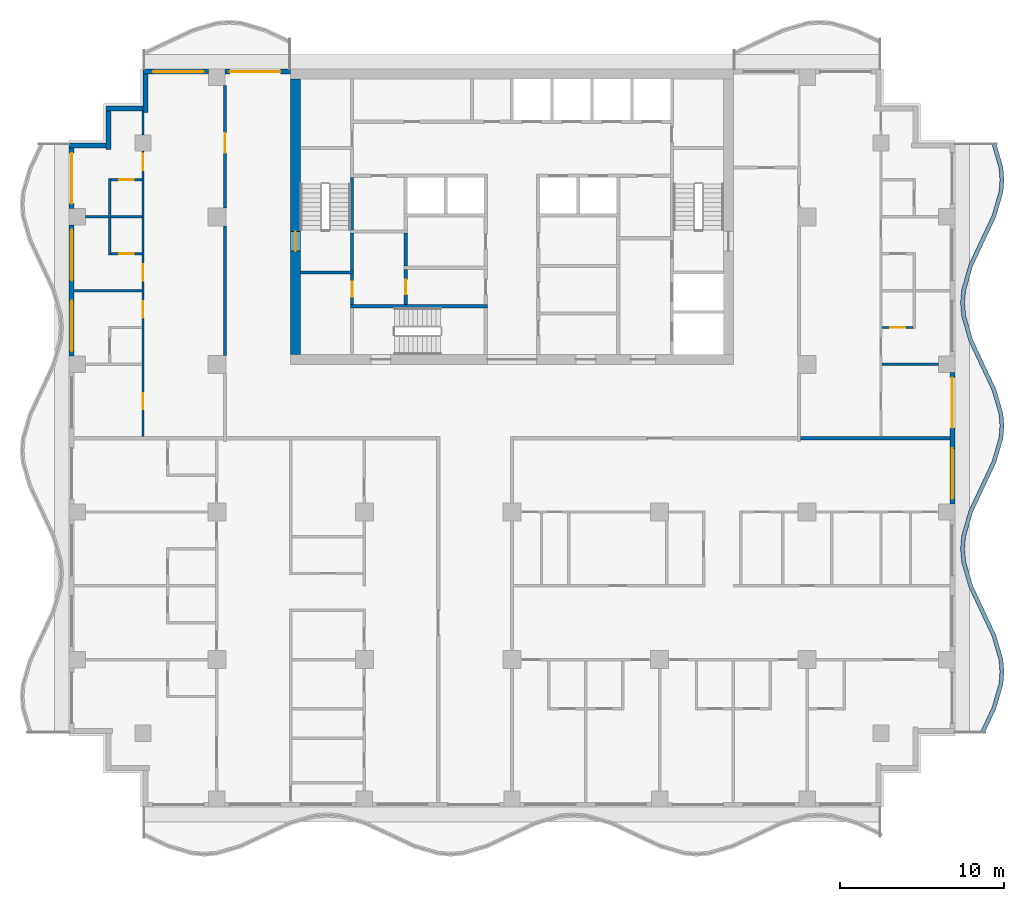
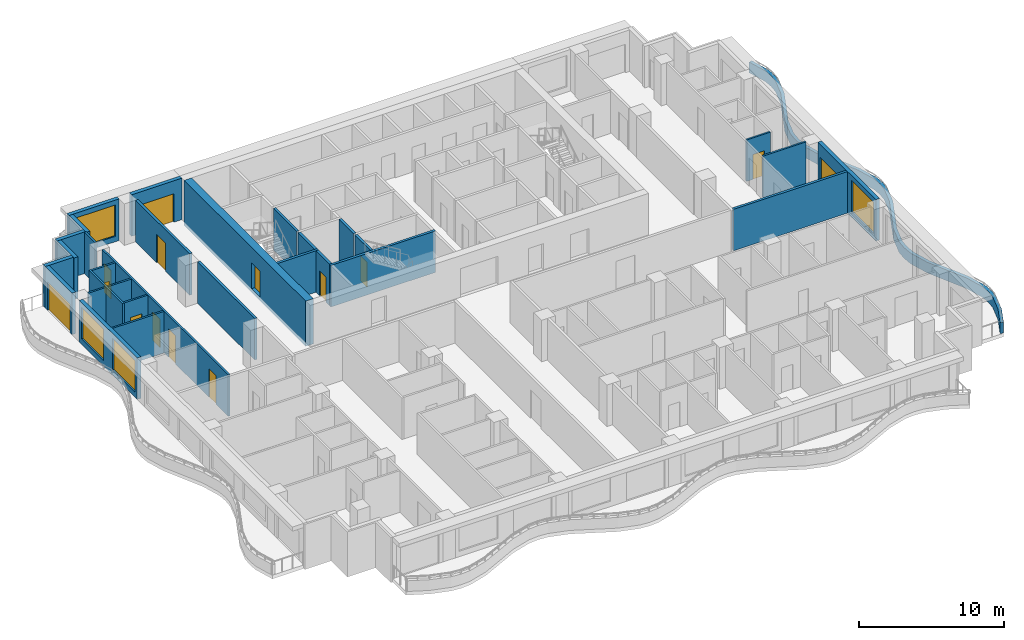
# One storey, part 5 of 12: 31 walls, 14 doors, 4 windows, 18 openings.
"""IFC4 building model written with IfcOpenShell, lengths in metres."""

from ifc_helpers import new_model, si_unit, direction, frame, frame_2d, origin, place, context, subcontext, project, spatial, polyline, rectangle, outline, extrude, material, layer, layer_set, type_object, element, fill, save


model = new_model("IFC4")

# Units and contexts
model_context = context("Model", 3, precision=1e-05, world=origin(), true_north=direction((0.0, 1.0)))
body_context = subcontext(model_context, "Body", "Model", "MODEL_VIEW")
ifc_project = project(units=[si_unit("LENGTHUNIT", "METRE"), si_unit("AREAUNIT", "SQUARE_METRE"), si_unit("VOLUMEUNIT", "CUBIC_METRE"), si_unit("PLANEANGLEUNIT", "RADIAN"), si_unit("MASSUNIT", "GRAM", prefix="KILO")], contexts=[model_context])

# Site, building, storey
site_placement = place(None, origin())
site = spatial("IfcSite", under=ifc_project, at=site_placement, CompositionType="ELEMENT")
building_placement = place(site_placement, origin())
building = spatial("IfcBuilding", under=site, at=building_placement, Name="Orbiselva Terraces", CompositionType="ELEMENT")
storey_placement = place(building_placement, frame((0.0, 0.0, 211.0)))
storey = spatial("IfcBuildingStorey", under=building, at=storey_placement, Name="L53", CompositionType="ELEMENT", Elevation=211.0)

# Wall, opening, door
ifc_material_1 = material(Name="Concrete C80/95", Category="concrete")
ifc_layer_1 = layer(ifc_material_1, 0.6)
ifc_layer_set_1 = layer_set([ifc_layer_1], Name="Concrete C80/95")
wall_type_1 = type_object("IfcWallType", Name="CORE WALL 600", PredefinedType="SHEAR", material=ifc_layer_set_1)
wall_1_placement = place(storey_placement, frame((-13.2, 21.9, -0.3), z_axis=(0.0, 0.0, 1.0), x_axis=(0.0, -1.0, 0.0)))
wall_1 = element("IfcWall", 1, at=wall_1_placement, inside=storey, type_object=wall_type_1, Name="Core wall L53 west", PredefinedType="SHEAR", context=body_context, shape_type="SweptSolid", body=[
    extrude(rectangle(XDim=16.8, YDim=0.6, at=frame_2d((8.4, 0.0))), origin(), (0.0, 0.0, 1.0), 3.8),
])
opening_1_placement = place(wall_1_placement, frame((9.3, 0.0, 0.3)))
opening_1 = element("IfcOpeningElement", 2, at=opening_1_placement, cuts=wall_1, Name="Opening DS1200", PredefinedType="OPENING", context=body_context, shape_type="SweptSolid", body=[
    extrude(rectangle(XDim=1.2, YDim=2.2, at=frame_2d((0.6, 1.1))), frame((0.0, 0.31, 0.0), z_axis=(0.0, -1.0, 0.0), x_axis=(1.0, 0.0, 0.0)), (0.0, 0.0, 1.0), 0.62),
])
ifc_material_2 = material(Name="Steel fire door", Category="steel")
door_type_1 = type_object("IfcDoorType", Name="STAIR DOOR 1200", OperationType="NOTDEFINED", PredefinedType="DOOR", material=ifc_material_2)
door_1_placement = place(opening_1_placement, frame((1.2, 0.0, 0.0), z_axis=(0.0, 0.0, 1.0), x_axis=(-1.0, 0.0, 0.0)))
door_1 = element("IfcDoor", 3, at=door_1_placement, inside=storey, type_object=door_type_1, Name="L53 EXIT STAIR S1 door", OperationType="SINGLE_SWING_RIGHT", OverallHeight=2.2, OverallWidth=1.2, PredefinedType="DOOR", context=body_context, shape_type="SweptSolid", body=[
    extrude(rectangle(XDim=1.2, YDim=2.2, at=frame_2d((0.6, 1.1))), frame((0.0, 0.025, 0.0), z_axis=(0.0, -1.0, 0.0), x_axis=(1.0, 0.0, 0.0)), (0.0, 0.0, 1.0), 0.05),
])
fill(opening_1, door_1)

ifc_material_3 = material(Name="Masonry blockwork", Category="masonry")
ifc_layer_2 = layer(ifc_material_3, 0.2)
ifc_layer_set_2 = layer_set([ifc_layer_2], Name="Masonry blockwork")
wall_type_2 = type_object("IfcWallType", Name="CORE-WALL-PARTITION-200", PredefinedType="PARTITIONING", material=ifc_layer_set_2)
wall_2_placement = place(storey_placement, frame((-9.75, 8.15, 0.0), z_axis=(0.0, 0.0, 1.0), x_axis=(0.0, 1.0, 0.0)))
wall_2 = element("IfcWall", 4, at=wall_2_placement, inside=storey, type_object=wall_type_2, Name="L53 core wall 05", PredefinedType="PARTITIONING", context=body_context, shape_type="SweptSolid", body=[
    extrude(rectangle(XDim=1.85, YDim=0.2, at=frame_2d((0.925, 0.0))), origin(), (0.0, 0.0, 1.0), 3.5),
])
opening_2_placement = place(wall_2_placement, frame((0.475, 0.0, 0.0)))
opening_2 = element("IfcOpeningElement", 5, at=opening_2_placement, cuts=wall_2, Name="Opening DR900", PredefinedType="OPENING", context=body_context, shape_type="SweptSolid", body=[
    extrude(rectangle(XDim=0.9, YDim=2.1, at=frame_2d((0.45, 1.05))), frame((0.0, 0.11, 0.0), z_axis=(0.0, -1.0, 0.0), x_axis=(1.0, 0.0, 0.0)), (0.0, 0.0, 1.0), 0.22),
])
door_type_2 = type_object("IfcDoorType", Name="ROOM DOOR 900", OperationType="NOTDEFINED", PredefinedType="DOOR", material=ifc_material_2)
door_2_placement = place(opening_2_placement, origin())
door_2 = element("IfcDoor", 6, at=door_2_placement, inside=storey, type_object=door_type_2, Name="L53 CLEANERS STORE door", OperationType="SINGLE_SWING_RIGHT", OverallHeight=2.1, OverallWidth=0.9, PredefinedType="DOOR", context=body_context, shape_type="SweptSolid", body=[
    extrude(rectangle(XDim=0.9, YDim=2.1, at=frame_2d((0.45, 1.05))), frame((0.0, 0.025, 0.0), z_axis=(0.0, -1.0, 0.0), x_axis=(1.0, 0.0, 0.0)), (0.0, 0.0, 1.0), 0.05),
])
fill(opening_2, door_2)

wall_3_placement = place(storey_placement, frame((-6.475, 8.15, 0.0), z_axis=(0.0, 0.0, 1.0), x_axis=(0.0, 1.0, 0.0)))
wall_3 = element("IfcWall", 7, at=wall_3_placement, inside=storey, type_object=wall_type_2, Name="L53 core wall 14", PredefinedType="PARTITIONING", context=body_context, shape_type="SweptSolid", body=[
    extrude(rectangle(XDim=2.15, YDim=0.2, at=frame_2d((1.075, 0.0))), origin(), (0.0, 0.0, 1.0), 3.5),
])
opening_3_placement = place(wall_3_placement, frame((0.625, 0.0, 0.0)))
opening_3 = element("IfcOpeningElement", 8, at=opening_3_placement, cuts=wall_3, Name="Opening DR900", PredefinedType="OPENING", context=body_context, shape_type="SweptSolid", body=[
    extrude(rectangle(XDim=0.9, YDim=2.1, at=frame_2d((0.45, 1.05))), frame((0.0, 0.11, 0.0), z_axis=(0.0, -1.0, 0.0), x_axis=(1.0, 0.0, 0.0)), (0.0, 0.0, 1.0), 0.22),
])
door_3_placement = place(opening_3_placement, origin())
door_3 = element("IfcDoor", 9, at=door_3_placement, inside=storey, type_object=door_type_2, Name="L53 STAFF ROOM door", OperationType="SINGLE_SWING_LEFT", OverallHeight=2.1, OverallWidth=0.9, PredefinedType="DOOR", context=body_context, shape_type="SweptSolid", body=[
    extrude(rectangle(XDim=0.9, YDim=2.1, at=frame_2d((0.45, 1.05))), frame((0.0, 0.025, 0.0), z_axis=(0.0, -1.0, 0.0), x_axis=(1.0, 0.0, 0.0)), (0.0, 0.0, 1.0), 0.05),
])
fill(opening_3, door_3)

# Walls
wall_4_placement = place(storey_placement, frame((-6.475, 10.5, 0.0), z_axis=(0.0, 0.0, 1.0), x_axis=(0.0, 1.0, 0.0)))
element("IfcWall", 10, at=wall_4_placement, inside=storey, type_object=wall_type_2, Name="L53 core wall 16", PredefinedType="PARTITIONING", context=body_context, shape_type="SweptSolid", body=[
    extrude(rectangle(XDim=2.0, YDim=0.2, at=frame_2d((1.0, 0.0))), origin(), (0.0, 0.0, 1.0), 3.5),
])
ifc_material_4 = material(Name="Concrete C60/75", Category="concrete")
ifc_layer_3 = layer(ifc_material_4, 0.2)
ifc_layer_set_3 = layer_set([ifc_layer_3], Name="Concrete C60/75")
wall_type_3 = type_object("IfcWallType", Name="CORE-WALL-SHEAR-200", PredefinedType="SHEAR", material=ifc_layer_set_3)
wall_5_placement = place(storey_placement, frame((-12.9, 10.1, 0.0), z_axis=(0.0, 0.0, 1.0), x_axis=(1.0, 0.0, 0.0)))
element("IfcWall", 11, at=wall_5_placement, inside=storey, type_object=wall_type_3, Name="L53 core wall 01", PredefinedType="SHEAR", context=body_context, shape_type="SweptSolid", body=[
    extrude(rectangle(XDim=3.25, YDim=0.2, at=frame_2d((1.625, 0.0))), origin(), (0.0, 0.0, 1.0), 3.5),
])
wall_6_placement = place(storey_placement, frame((-9.85, 8.05, 0.0), z_axis=(0.0, 0.0, 1.0), x_axis=(1.0, 0.0, 0.0)))
element("IfcWall", 12, at=wall_6_placement, inside=storey, type_object=wall_type_3, Name="L53 core wall 04", PredefinedType="SHEAR", context=body_context, shape_type="SweptSolid", body=[
    extrude(rectangle(XDim=8.35, YDim=0.2, at=frame_2d((4.175, 0.0))), origin(), (0.0, 0.0, 1.0), 3.5),
])
wall_7_placement = place(storey_placement, frame((-9.75, 10.2, 0.0), z_axis=(0.0, 0.0, 1.0), x_axis=(0.0, 1.0, 0.0)))
element("IfcWall", 13, at=wall_7_placement, inside=storey, type_object=wall_type_3, Name="L53 core wall 06", PredefinedType="SHEAR", context=body_context, shape_type="SweptSolid", body=[
    extrude(rectangle(XDim=2.3, YDim=0.2, at=frame_2d((1.15, 0.0))), origin(), (0.0, 0.0, 1.0), 3.5),
])
wall_8_placement = place(storey_placement, frame((-9.75, 12.7, 0.0), z_axis=(0.0, 0.0, 1.0), x_axis=(0.0, 1.0, 0.0)))
element("IfcWall", 14, at=wall_8_placement, inside=storey, type_object=wall_type_3, Name="L53 core wall 08", PredefinedType="SHEAR", context=body_context, shape_type="SweptSolid", body=[
    extrude(rectangle(XDim=3.2, YDim=0.2, at=frame_2d((1.6, 0.0))), origin(), (0.0, 0.0, 1.0), 3.5),
])
ifc_material_5 = material(Name="Concrete C40/50", Category="concrete")
ifc_layer_4 = layer(ifc_material_5, 0.25)
ifc_layer_set_4 = layer_set([ifc_layer_4], Name="Concrete C40/50")
wall_type_4 = type_object("IfcWallType", Name="ENV-PLANTER-250x900", PredefinedType="USERDEFINED", material=ifc_layer_set_4)
wall_9_placement = place(storey_placement, origin())
element("IfcWall", 15, at=wall_9_placement, inside=storey, type_object=wall_type_4, Name="Balcony planter L53 E", ObjectType="PLANTER", PredefinedType="USERDEFINED", context=body_context, shape_type="SweptSolid", body=[
    extrude(outline(polyline([(28.8, -18.0), (29.505342, -16.5), (29.941268, -15.0), (30.0, -14.25), (29.941268, -13.5), (29.505342, -12.0), (28.8, -10.5), (28.094658, -9.0), (27.658732, -7.5), (27.6, -6.75), (27.658732, -6.0), (28.094658, -4.5), (28.8, -3.0), (29.505342, -1.5), (29.941268, 0.0), (30.0, 0.75), (29.941268, 1.5), (29.505342, 3.0), (28.8, 4.5), (28.094658, 6.0), (27.658732, 7.5), (27.6, 8.25), (27.658732, 9.0), (28.094658, 10.5), (28.8, 12.0), (29.505342, 13.5), (29.941268, 15.0), (30.0, 15.75), (29.941268, 16.5), (29.505342, 18.0), (29.265274, 17.930232), (29.694035, 16.454886), (29.749235, 15.75), (29.694035, 15.045114), (29.270753, 13.588618), (28.573764, 12.106383), (27.860069, 10.588618), (27.411499, 9.045114), (27.349235, 8.25), (27.411499, 7.454886), (27.860069, 5.911382), (28.573764, 4.393617), (29.270753, 2.911382), (29.694035, 1.454886), (29.749235, 0.75), (29.694035, 0.045114), (29.270753, -1.411382), (28.573764, -2.893617), (27.860069, -4.411382), (27.411499, -5.954886), (27.349235, -6.75), (27.411499, -7.545114), (27.860069, -9.088618), (28.573764, -10.606383), (29.270753, -12.088618), (29.694035, -13.545114), (29.749235, -14.25), (29.694035, -14.954886), (29.270753, -16.411382), (28.573764, -17.893617), (28.8, -18.0)])), origin(), (0.0, 0.0, 1.0), 0.9),
])

# Wall, openings, door, window
ifc_material_6 = material(Name="Terracotta cladding on masonry backing", Category="masonry")
ifc_layer_5 = layer(ifc_material_6, 0.3)
ifc_layer_set_5 = layer_set([ifc_layer_5], Name="Terracotta cladding on masonry backing")
wall_type_5 = type_object("IfcWallType", Name="ENV-WALL-TERRACOTTA-300", PredefinedType="SOLIDWALL", material=ifc_layer_set_5)
wall_10_placement = place(storey_placement, frame((26.85, 4.0, 0.0), z_axis=(0.0, 0.0, 1.0), x_axis=(0.0, -1.0, 0.0)))
wall_10 = element("IfcWall", 16, at=wall_10_placement, inside=storey, type_object=wall_type_5, Name="Facade wall L53 E", PredefinedType="SOLIDWALL", context=body_context, shape_type="SweptSolid", body=[
    extrude(rectangle(XDim=8.0, YDim=0.3, at=frame_2d((4.0, 0.0))), origin(), (0.0, 0.0, 1.0), 3.5),
])
opening_4_placement = place(wall_10_placement, frame((4.625, 0.0, 0.45)))
opening_4 = element("IfcOpeningElement", 17, at=opening_4_placement, cuts=wall_10, Name="Opening WN15", PredefinedType="OPENING", context=body_context, shape_type="SweptSolid", body=[
    extrude(rectangle(XDim=3.075, YDim=2.65, at=frame_2d((1.5375, 1.325))), frame((0.0, 0.16, 0.0), z_axis=(0.0, -1.0, 0.0), x_axis=(1.0, 0.0, 0.0)), (0.0, 0.0, 1.0), 0.32),
])
opening_5_placement = place(wall_10_placement, frame((0.3, 0.0, 0.0)))
opening_5 = element("IfcOpeningElement", 18, at=opening_5_placement, cuts=wall_10, Name="Opening Z4-C-E06", PredefinedType="OPENING", context=body_context, shape_type="SweptSolid", body=[
    extrude(rectangle(XDim=3.075, YDim=2.4, at=frame_2d((1.5375, 1.2))), frame((0.0, 0.16, 0.0), z_axis=(0.0, -1.0, 0.0), x_axis=(1.0, 0.0, 0.0)), (0.0, 0.0, 1.0), 0.32),
])
ifc_material_7 = material(Name="Clear low-e glazing in aluminium frame", Category="aluminium")
door_type_3 = type_object("IfcDoorType", Name="BALCONY DOOR 3075 X 2400", OperationType="DOUBLE_DOOR_SLIDING", PredefinedType="DOOR", material=ifc_material_7)
door_4_placement = place(opening_5_placement, origin())
door_4 = element("IfcDoor", 19, at=door_4_placement, inside=storey, type_object=door_type_3, Name="Z4-C-E06", OperationType="SINGLE_SWING_LEFT", OverallHeight=2.4, OverallWidth=3.075, PredefinedType="DOOR", context=body_context, shape_type="SweptSolid", body=[
    extrude(rectangle(XDim=3.075, YDim=2.4, at=frame_2d((1.5375, 1.2))), frame((0.0, 0.025, 0.0), z_axis=(0.0, -1.0, 0.0), x_axis=(1.0, 0.0, 0.0)), (0.0, 0.0, 1.0), 0.05),
])
fill(opening_5, door_4)
window_type = type_object("IfcWindowType", Name="WINDOW 3075 X 2650 S450", PartitioningType="TRIPLE_PANEL_VERTICAL", PredefinedType="WINDOW", material=ifc_material_7)
window_1_placement = place(opening_4_placement, origin())
window_1 = element("IfcWindow", 20, at=window_1_placement, inside=storey, type_object=window_type, Name="Window L53 E", OverallHeight=2.65, OverallWidth=3.075, PartitioningType="SINGLE_PANEL", PredefinedType="WINDOW", context=body_context, shape_type="SweptSolid", body=[
    extrude(rectangle(XDim=3.075, YDim=2.65, at=frame_2d((1.5375, 1.325))), frame((0.0, 0.03, 0.0), z_axis=(0.0, -1.0, 0.0), x_axis=(1.0, 0.0, 0.0)), (0.0, 0.0, 1.0), 0.06),
])
fill(opening_4, window_1)

# Wall, opening, door
wall_11_placement = place(storey_placement, frame((-17.5, 22.35, 0.0), z_axis=(0.0, 0.0, 1.0), x_axis=(1.0, 0.0, 0.0)))
wall_11 = element("IfcWall", 21, at=wall_11_placement, inside=storey, type_object=wall_type_5, Name="Facade wall L53 NW", PredefinedType="SOLIDWALL", context=body_context, shape_type="SweptSolid", body=[
    extrude(rectangle(XDim=4.0, YDim=0.3, at=frame_2d((2.0, 0.0))), origin(), (0.0, 0.0, 1.0), 3.5),
])
opening_6_placement = place(wall_11_placement, frame((0.3, 0.0, 0.0)))
opening_6 = element("IfcOpeningElement", 22, at=opening_6_placement, cuts=wall_11, Name="Opening Z4-C-E16", PredefinedType="OPENING", context=body_context, shape_type="SweptSolid", body=[
    extrude(rectangle(XDim=3.075, YDim=2.4, at=frame_2d((1.5375, 1.2))), frame((0.0, 0.16, 0.0), z_axis=(0.0, -1.0, 0.0), x_axis=(1.0, 0.0, 0.0)), (0.0, 0.0, 1.0), 0.32),
])
door_5_placement = place(opening_6_placement, origin())
door_5 = element("IfcDoor", 23, at=door_5_placement, inside=storey, type_object=door_type_3, Name="Z4-C-E16", OperationType="SINGLE_SWING_LEFT", OverallHeight=2.4, OverallWidth=3.075, PredefinedType="DOOR", context=body_context, shape_type="SweptSolid", body=[
    extrude(rectangle(XDim=3.075, YDim=2.4, at=frame_2d((1.5375, 1.2))), frame((0.0, 0.025, 0.0), z_axis=(0.0, -1.0, 0.0), x_axis=(1.0, 0.0, 0.0)), (0.0, 0.0, 1.0), 0.05),
])
fill(opening_6, door_5)

# Wall, opening, window
wall_12_placement = place(storey_placement, frame((-22.5, 22.35, 0.0), z_axis=(0.0, 0.0, 1.0), x_axis=(1.0, 0.0, 0.0)))
wall_12 = element("IfcWall", 24, at=wall_12_placement, inside=storey, type_object=wall_type_5, Name="Facade wall L53 NW", PredefinedType="SOLIDWALL", context=body_context, shape_type="SweptSolid", body=[
    extrude(rectangle(XDim=4.0, YDim=0.3, at=frame_2d((2.0, 0.0))), origin(), (0.0, 0.0, 1.0), 3.5),
])
opening_7_placement = place(wall_12_placement, frame((0.625, 0.0, 0.45)))
opening_7 = element("IfcOpeningElement", 25, at=opening_7_placement, cuts=wall_12, Name="Opening WN15", PredefinedType="OPENING", context=body_context, shape_type="SweptSolid", body=[
    extrude(rectangle(XDim=3.075, YDim=2.65, at=frame_2d((1.5375, 1.325))), frame((0.0, 0.16, 0.0), z_axis=(0.0, -1.0, 0.0), x_axis=(1.0, 0.0, 0.0)), (0.0, 0.0, 1.0), 0.32),
])
window_2_placement = place(opening_7_placement, origin())
window_2 = element("IfcWindow", 26, at=window_2_placement, inside=storey, type_object=window_type, Name="Window L53 NW", OverallHeight=2.65, OverallWidth=3.075, PartitioningType="SINGLE_PANEL", PredefinedType="WINDOW", context=body_context, shape_type="SweptSolid", body=[
    extrude(rectangle(XDim=3.075, YDim=2.65, at=frame_2d((1.5375, 1.325))), frame((0.0, 0.03, 0.0), z_axis=(0.0, -1.0, 0.0), x_axis=(1.0, 0.0, 0.0)), (0.0, 0.0, 1.0), 0.06),
])
fill(opening_7, window_2)

# Walls
wall_13_placement = place(storey_placement, frame((-22.35, 19.85, 0.0), z_axis=(0.0, 0.0, 1.0), x_axis=(0.0, 1.0, 0.0)))
element("IfcWall", 27, at=wall_13_placement, inside=storey, type_object=wall_type_5, Name="Facade wall L53 STEP", PredefinedType="SOLIDWALL", context=body_context, shape_type="SweptSolid", body=[
    extrude(rectangle(XDim=2.35, YDim=0.3, at=frame_2d((1.175, 0.0))), origin(), (0.0, 0.0, 1.0), 3.5),
])
wall_14_placement = place(storey_placement, frame((-24.75, 20.1, 0.0), z_axis=(0.0, 0.0, 1.0), x_axis=(1.0, 0.0, 0.0)))
element("IfcWall", 28, at=wall_14_placement, inside=storey, type_object=wall_type_5, Name="Facade wall L53 STEP", PredefinedType="SOLIDWALL", context=body_context, shape_type="SweptSolid", body=[
    extrude(rectangle(XDim=2.25, YDim=0.3, at=frame_2d((1.125, 0.0))), origin(), (0.0, 0.0, 1.0), 3.5),
])
wall_15_placement = place(storey_placement, frame((-24.6, 17.6, 0.0), z_axis=(0.0, 0.0, 1.0), x_axis=(0.0, 1.0, 0.0)))
element("IfcWall", 29, at=wall_15_placement, inside=storey, type_object=wall_type_5, Name="Facade wall L53 STEP", PredefinedType="SOLIDWALL", context=body_context, shape_type="SweptSolid", body=[
    extrude(rectangle(XDim=2.35, YDim=0.3, at=frame_2d((1.175, 0.0))), origin(), (0.0, 0.0, 1.0), 3.5),
])
wall_16_placement = place(storey_placement, frame((-27.0, 17.85, 0.0), z_axis=(0.0, 0.0, 1.0), x_axis=(1.0, 0.0, 0.0)))
element("IfcWall", 30, at=wall_16_placement, inside=storey, type_object=wall_type_5, Name="Facade wall L53 STEP", PredefinedType="SOLIDWALL", context=body_context, shape_type="SweptSolid", body=[
    extrude(rectangle(XDim=2.25, YDim=0.3, at=frame_2d((1.125, 0.0))), origin(), (0.0, 0.0, 1.0), 3.5),
])

# Wall, opening, door
wall_17_placement = place(storey_placement, frame((-26.85, 14.0, 0.0), z_axis=(0.0, 0.0, 1.0), x_axis=(0.0, 1.0, 0.0)))
wall_17 = element("IfcWall", 31, at=wall_17_placement, inside=storey, type_object=wall_type_5, Name="Facade wall L53 W", PredefinedType="SOLIDWALL", context=body_context, shape_type="SweptSolid", body=[
    extrude(rectangle(XDim=3.7, YDim=0.3, at=frame_2d((1.85, 0.0))), origin(), (0.0, 0.0, 1.0), 3.5),
])
opening_8_placement = place(wall_17_placement, frame((0.3, 0.0, 0.0)))
opening_8 = element("IfcOpeningElement", 32, at=opening_8_placement, cuts=wall_17, Name="Opening Z4-C-E17", PredefinedType="OPENING", context=body_context, shape_type="SweptSolid", body=[
    extrude(rectangle(XDim=3.075, YDim=2.4, at=frame_2d((1.5375, 1.2))), frame((0.0, 0.16, 0.0), z_axis=(0.0, -1.0, 0.0), x_axis=(1.0, 0.0, 0.0)), (0.0, 0.0, 1.0), 0.32),
])
door_6_placement = place(opening_8_placement, origin())
door_6 = element("IfcDoor", 33, at=door_6_placement, inside=storey, type_object=door_type_3, Name="Z4-C-E17", OperationType="SINGLE_SWING_LEFT", OverallHeight=2.4, OverallWidth=3.075, PredefinedType="DOOR", context=body_context, shape_type="SweptSolid", body=[
    extrude(rectangle(XDim=3.075, YDim=2.4, at=frame_2d((1.5375, 1.2))), frame((0.0, 0.025, 0.0), z_axis=(0.0, -1.0, 0.0), x_axis=(1.0, 0.0, 0.0)), (0.0, 0.0, 1.0), 0.05),
])
fill(opening_8, door_6)

# Wall, openings, windows
wall_18_placement = place(storey_placement, frame((-26.85, 5.0, 0.0), z_axis=(0.0, 0.0, 1.0), x_axis=(0.0, 1.0, 0.0)))
wall_18 = element("IfcWall", 34, at=wall_18_placement, inside=storey, type_object=wall_type_5, Name="Facade wall L53 W", PredefinedType="SOLIDWALL", context=body_context, shape_type="SweptSolid", body=[
    extrude(rectangle(XDim=8.0, YDim=0.3, at=frame_2d((4.0, 0.0))), origin(), (0.0, 0.0, 1.0), 3.5),
])
opening_9_placement = place(wall_18_placement, frame((4.625, 0.0, 0.45)))
opening_9 = element("IfcOpeningElement", 35, at=opening_9_placement, cuts=wall_18, Name="Opening WN15", PredefinedType="OPENING", context=body_context, shape_type="SweptSolid", body=[
    extrude(rectangle(XDim=3.075, YDim=2.65, at=frame_2d((1.5375, 1.325))), frame((0.0, 0.16, 0.0), z_axis=(0.0, -1.0, 0.0), x_axis=(1.0, 0.0, 0.0)), (0.0, 0.0, 1.0), 0.32),
])
opening_10_placement = place(wall_18_placement, frame((0.3, 0.0, 0.45)))
opening_10 = element("IfcOpeningElement", 36, at=opening_10_placement, cuts=wall_18, Name="Opening WN15", PredefinedType="OPENING", context=body_context, shape_type="SweptSolid", body=[
    extrude(rectangle(XDim=3.075, YDim=2.65, at=frame_2d((1.5375, 1.325))), frame((0.0, 0.16, 0.0), z_axis=(0.0, -1.0, 0.0), x_axis=(1.0, 0.0, 0.0)), (0.0, 0.0, 1.0), 0.32),
])
window_3_placement = place(opening_9_placement, origin())
window_3 = element("IfcWindow", 37, at=window_3_placement, inside=storey, type_object=window_type, Name="Window L53 W", OverallHeight=2.65, OverallWidth=3.075, PartitioningType="SINGLE_PANEL", PredefinedType="WINDOW", context=body_context, shape_type="SweptSolid", body=[
    extrude(rectangle(XDim=3.075, YDim=2.65, at=frame_2d((1.5375, 1.325))), frame((0.0, 0.03, 0.0), z_axis=(0.0, -1.0, 0.0), x_axis=(1.0, 0.0, 0.0)), (0.0, 0.0, 1.0), 0.06),
])
fill(opening_9, window_3)
window_4_placement = place(opening_10_placement, origin())
window_4 = element("IfcWindow", 38, at=window_4_placement, inside=storey, type_object=window_type, Name="Window L53 W", OverallHeight=2.65, OverallWidth=3.075, PartitioningType="SINGLE_PANEL", PredefinedType="WINDOW", context=body_context, shape_type="SweptSolid", body=[
    extrude(rectangle(XDim=3.075, YDim=2.65, at=frame_2d((1.5375, 1.325))), frame((0.0, 0.03, 0.0), z_axis=(0.0, -1.0, 0.0), x_axis=(1.0, 0.0, 0.0)), (0.0, 0.0, 1.0), 0.06),
])
fill(opening_10, window_4)

# Wall
ifc_material_8 = material(Name="Plasterboard on steel stud partition", Category="steel")
ifc_layer_6 = layer(ifc_material_8, 0.2)
ifc_layer_set_6 = layer_set([ifc_layer_6], Name="Plasterboard on steel stud partition")
wall_type_6 = type_object("IfcWallType", Name="UNIT-ENTRANCE-WALL-200", PredefinedType="PARTITIONING", material=ifc_layer_set_6)
wall_19_placement = place(storey_placement, frame((-17.5, 5.05, 0.0), z_axis=(0.0, 0.0, 1.0), x_axis=(0.0, 1.0, 0.0)))
element("IfcWall", 39, at=wall_19_placement, inside=storey, type_object=wall_type_6, Name="PARTITION L53-060", PredefinedType="PARTITIONING", context=body_context, shape_type="SweptSolid", body=[
    extrude(rectangle(XDim=7.9, YDim=0.2, at=frame_2d((3.95, 0.0))), origin(), (0.0, 0.0, 1.0), 3.5),
])

# Wall, opening, door
wall_20_placement = place(storey_placement, frame((-17.5, 14.05, 0.0), z_axis=(0.0, 0.0, 1.0), x_axis=(0.0, 1.0, 0.0)))
wall_20 = element("IfcWall", 40, at=wall_20_placement, inside=storey, type_object=wall_type_6, Name="PARTITION L53-061", PredefinedType="PARTITIONING", context=body_context, shape_type="SweptSolid", body=[
    extrude(rectangle(XDim=7.45, YDim=0.2, at=frame_2d((3.725, 0.0))), origin(), (0.0, 0.0, 1.0), 3.5),
])
opening_11_placement = place(wall_20_placement, frame((3.35, 0.0, 0.0)))
opening_11 = element("IfcOpeningElement", 41, at=opening_11_placement, cuts=wall_20, Name="Opening Z4-C-02", PredefinedType="OPENING", context=body_context, shape_type="SweptSolid", body=[
    extrude(rectangle(XDim=1.2, YDim=2.4, at=frame_2d((0.6, 1.2))), frame((0.0, 0.11, 0.0), z_axis=(0.0, -1.0, 0.0), x_axis=(1.0, 0.0, 0.0)), (0.0, 0.0, 1.0), 0.22),
])
ifc_material_9 = material(Name="Painted timber door leaf", Category="wood")
door_type_4 = type_object("IfcDoorType", Name="ENTRANCE DOOR 1200", OperationType="NOTDEFINED", PredefinedType="DOOR", material=ifc_material_9)
door_7_placement = place(opening_11_placement, origin())
door_7 = element("IfcDoor", 42, at=door_7_placement, inside=storey, type_object=door_type_4, Name="Z4-C-02", OperationType="SINGLE_SWING_RIGHT", OverallHeight=2.4, OverallWidth=1.2, PredefinedType="DOOR", context=body_context, shape_type="SweptSolid", body=[
    extrude(rectangle(XDim=1.2, YDim=2.4, at=frame_2d((0.6, 1.2))), frame((0.0, 0.025, 0.0), z_axis=(0.0, -1.0, 0.0), x_axis=(1.0, 0.0, 0.0)), (0.0, 0.0, 1.0), 0.05),
])
fill(opening_11, door_7)

# Wall
ifc_layer_7 = layer(ifc_material_8, 0.15)
ifc_layer_set_7 = layer_set([ifc_layer_7], Name="Plasterboard on steel stud partition")
wall_type_7 = type_object("IfcWallType", Name="UNIT-PARTITION-150", PredefinedType="PARTITIONING", material=ifc_layer_set_7)
wall_21_placement = place(storey_placement, frame((22.575, 4.5, 0.0), z_axis=(0.0, 0.0, 1.0), x_axis=(1.0, 0.0, 0.0)))
element("IfcWall", 43, at=wall_21_placement, inside=storey, type_object=wall_type_7, Name="PARTITION L53-035", PredefinedType="PARTITIONING", context=body_context, shape_type="SweptSolid", body=[
    extrude(rectangle(XDim=3.425, YDim=0.15, at=frame_2d((1.7125, 0.0))), origin(), (0.0, 0.0, 1.0), 3.5),
])

# Wall, opening, door
wall_22_placement = place(storey_placement, frame((22.575, 6.75, 0.0), z_axis=(0.0, 0.0, 1.0), x_axis=(1.0, 0.0, 0.0)))
wall_22 = element("IfcWall", 44, at=wall_22_placement, inside=storey, type_object=wall_type_7, Name="PARTITION L53-037", PredefinedType="PARTITIONING", context=body_context, shape_type="SweptSolid", body=[
    extrude(rectangle(XDim=1.875, YDim=0.15, at=frame_2d((0.9375, 0.0))), origin(), (0.0, 0.0, 1.0), 3.5),
])
opening_12_placement = place(wall_22_placement, frame((0.5, 0.0, 0.0)))
opening_12 = element("IfcOpeningElement", 45, at=opening_12_placement, cuts=wall_22, Name="Opening Z4-C-13", PredefinedType="OPENING", context=body_context, shape_type="SweptSolid", body=[
    extrude(rectangle(XDim=0.9, YDim=2.1, at=frame_2d((0.45, 1.05))), frame((0.0, 0.085, 0.0), z_axis=(0.0, -1.0, 0.0), x_axis=(1.0, 0.0, 0.0)), (0.0, 0.0, 1.0), 0.17),
])
door_type_5 = type_object("IfcDoorType", Name="BATH DOOR 900", OperationType="NOTDEFINED", PredefinedType="DOOR", material=ifc_material_9)
door_8_placement = place(opening_12_placement, origin())
door_8 = element("IfcDoor", 46, at=door_8_placement, inside=storey, type_object=door_type_5, Name="Z4-C-13", OperationType="SINGLE_SWING_RIGHT", OverallHeight=2.1, OverallWidth=0.9, PredefinedType="DOOR", context=body_context, shape_type="SweptSolid", body=[
    extrude(rectangle(XDim=0.9, YDim=2.1, at=frame_2d((0.45, 1.05))), frame((0.0, 0.025, 0.0), z_axis=(0.0, -1.0, 0.0), x_axis=(1.0, 0.0, 0.0)), (0.0, 0.0, 1.0), 0.05),
])
fill(opening_12, door_8)

# Wall
wall_23_placement = place(storey_placement, frame((-26.7, 9.0, 0.0), z_axis=(0.0, 0.0, 1.0), x_axis=(1.0, 0.0, 0.0)))
element("IfcWall", 47, at=wall_23_placement, inside=storey, type_object=wall_type_7, Name="PARTITION L53-038", PredefinedType="PARTITIONING", context=body_context, shape_type="SweptSolid", body=[
    extrude(rectangle(XDim=4.125, YDim=0.15, at=frame_2d((2.0625, 0.0))), origin(), (0.0, 0.0, 1.0), 3.5),
])

# Wall, opening, door
wall_24_placement = place(storey_placement, frame((-24.45, 11.25, 0.0), z_axis=(0.0, 0.0, 1.0), x_axis=(1.0, 0.0, 0.0)))
wall_24 = element("IfcWall", 48, at=wall_24_placement, inside=storey, type_object=wall_type_7, Name="PARTITION L53-041", PredefinedType="PARTITIONING", context=body_context, shape_type="SweptSolid", body=[
    extrude(rectangle(XDim=1.875, YDim=0.15, at=frame_2d((0.9375, 0.0))), origin(), (0.0, 0.0, 1.0), 3.5),
])
opening_13_placement = place(wall_24_placement, frame((0.5, 0.0, 0.0)))
opening_13 = element("IfcOpeningElement", 49, at=opening_13_placement, cuts=wall_24, Name="Opening Z4-C-07", PredefinedType="OPENING", context=body_context, shape_type="SweptSolid", body=[
    extrude(rectangle(XDim=0.9, YDim=2.1, at=frame_2d((0.45, 1.05))), frame((0.0, 0.085, 0.0), z_axis=(0.0, -1.0, 0.0), x_axis=(1.0, 0.0, 0.0)), (0.0, 0.0, 1.0), 0.17),
])
door_9_placement = place(opening_13_placement, origin())
door_9 = element("IfcDoor", 50, at=door_9_placement, inside=storey, type_object=door_type_5, Name="Z4-C-07", OperationType="SINGLE_SWING_RIGHT", OverallHeight=2.1, OverallWidth=0.9, PredefinedType="DOOR", context=body_context, shape_type="SweptSolid", body=[
    extrude(rectangle(XDim=0.9, YDim=2.1, at=frame_2d((0.45, 1.05))), frame((0.0, 0.025, 0.0), z_axis=(0.0, -1.0, 0.0), x_axis=(1.0, 0.0, 0.0)), (0.0, 0.0, 1.0), 0.05),
])
fill(opening_13, door_9)

# Walls
wall_25_placement = place(storey_placement, frame((-26.0, 13.5, 0.0), z_axis=(0.0, 0.0, 1.0), x_axis=(1.0, 0.0, 0.0)))
element("IfcWall", 51, at=wall_25_placement, inside=storey, type_object=wall_type_7, Name="PARTITION L53-043", PredefinedType="PARTITIONING", context=body_context, shape_type="SweptSolid", body=[
    extrude(rectangle(XDim=1.4, YDim=0.15, at=frame_2d((0.7, 0.0))), origin(), (0.0, 0.0, 1.0), 3.5),
])
wall_26_placement = place(storey_placement, frame((-24.45, 13.5, 0.0), z_axis=(0.0, 0.0, 1.0), x_axis=(1.0, 0.0, 0.0)))
element("IfcWall", 52, at=wall_26_placement, inside=storey, type_object=wall_type_7, Name="PARTITION L53-044", PredefinedType="PARTITIONING", context=body_context, shape_type="SweptSolid", body=[
    extrude(rectangle(XDim=1.875, YDim=0.15, at=frame_2d((0.9375, 0.0))), origin(), (0.0, 0.0, 1.0), 3.5),
])

# Wall, opening, door
wall_27_placement = place(storey_placement, frame((-22.575, 15.75, 0.0), z_axis=(0.0, 0.0, 1.0), x_axis=(-1.0, 0.0, 0.0)))
wall_27 = element("IfcWall", 53, at=wall_27_placement, inside=storey, type_object=wall_type_7, Name="PARTITION L53-046", PredefinedType="PARTITIONING", context=body_context, shape_type="SweptSolid", body=[
    extrude(rectangle(XDim=1.875, YDim=0.15, at=frame_2d((0.9375, 0.0))), origin(), (0.0, 0.0, 1.0), 3.5),
])
opening_14_placement = place(wall_27_placement, frame((0.475, 0.0, 0.0)))
opening_14 = element("IfcOpeningElement", 54, at=opening_14_placement, cuts=wall_27, Name="Opening Z4-C-09", PredefinedType="OPENING", context=body_context, shape_type="SweptSolid", body=[
    extrude(rectangle(XDim=0.9, YDim=2.1, at=frame_2d((0.45, 1.05))), frame((0.0, 0.085, 0.0), z_axis=(0.0, -1.0, 0.0), x_axis=(1.0, 0.0, 0.0)), (0.0, 0.0, 1.0), 0.17),
])
door_10_placement = place(opening_14_placement, origin())
door_10 = element("IfcDoor", 55, at=door_10_placement, inside=storey, type_object=door_type_5, Name="Z4-C-09", OperationType="SINGLE_SWING_LEFT", OverallHeight=2.1, OverallWidth=0.9, PredefinedType="DOOR", context=body_context, shape_type="SweptSolid", body=[
    extrude(rectangle(XDim=0.9, YDim=2.1, at=frame_2d((0.45, 1.05))), frame((0.0, 0.025, 0.0), z_axis=(0.0, -1.0, 0.0), x_axis=(1.0, 0.0, 0.0)), (0.0, 0.0, 1.0), 0.05),
])
fill(opening_14, door_10)

# Wall
wall_28_placement = place(storey_placement, frame((-24.525, 11.175, 0.0), z_axis=(0.0, 0.0, 1.0), x_axis=(0.0, 1.0, 0.0)))
element("IfcWall", 56, at=wall_28_placement, inside=storey, type_object=wall_type_7, Name="PARTITION L53-050", PredefinedType="PARTITIONING", context=body_context, shape_type="SweptSolid", body=[
    extrude(rectangle(XDim=4.65, YDim=0.15, at=frame_2d((2.325, 0.0))), origin(), (0.0, 0.0, 1.0), 3.5),
])

# Wall, openings, doors
wall_29_placement = place(storey_placement, frame((-22.5, 0.1, 0.0), z_axis=(0.0, 0.0, 1.0), x_axis=(0.0, 1.0, 0.0)))
wall_29 = element("IfcWall", 57, at=wall_29_placement, inside=storey, type_object=wall_type_7, Name="PARTITION L53-051", PredefinedType="PARTITIONING", context=body_context, shape_type="SweptSolid", body=[
    extrude(rectangle(XDim=17.4, YDim=0.15, at=frame_2d((8.7, 0.0))), origin(), (0.0, 0.0, 1.0), 3.5),
])
opening_15_placement = place(wall_29_placement, frame((1.65, 0.0, 0.0)))
opening_15 = element("IfcOpeningElement", 58, at=opening_15_placement, cuts=wall_29, Name="Opening Z4-C-03", PredefinedType="OPENING", context=body_context, shape_type="SweptSolid", body=[
    extrude(rectangle(XDim=1.0, YDim=2.4, at=frame_2d((0.5, 1.2))), frame((0.0, 0.085, 0.0), z_axis=(0.0, -1.0, 0.0), x_axis=(1.0, 0.0, 0.0)), (0.0, 0.0, 1.0), 0.17),
])
opening_16_placement = place(wall_29_placement, frame((7.25, 0.0, 0.0)))
opening_16 = element("IfcOpeningElement", 59, at=opening_16_placement, cuts=wall_29, Name="Opening Z4-C-04", PredefinedType="OPENING", context=body_context, shape_type="SweptSolid", body=[
    extrude(rectangle(XDim=1.0, YDim=2.4, at=frame_2d((0.5, 1.2))), frame((0.0, 0.085, 0.0), z_axis=(0.0, -1.0, 0.0), x_axis=(1.0, 0.0, 0.0)), (0.0, 0.0, 1.0), 0.17),
])
opening_17_placement = place(wall_29_placement, frame((9.5, 0.0, 0.0)))
opening_17 = element("IfcOpeningElement", 60, at=opening_17_placement, cuts=wall_29, Name="Opening Z4-C-06", PredefinedType="OPENING", context=body_context, shape_type="SweptSolid", body=[
    extrude(rectangle(XDim=1.0, YDim=2.4, at=frame_2d((0.5, 1.2))), frame((0.0, 0.085, 0.0), z_axis=(0.0, -1.0, 0.0), x_axis=(1.0, 0.0, 0.0)), (0.0, 0.0, 1.0), 0.17),
])
opening_18_placement = place(wall_29_placement, frame((16.25, 0.0, 0.0)))
opening_18 = element("IfcOpeningElement", 61, at=opening_18_placement, cuts=wall_29, Name="Opening Z4-C-08", PredefinedType="OPENING", context=body_context, shape_type="SweptSolid", body=[
    extrude(rectangle(XDim=1.0, YDim=2.4, at=frame_2d((0.5, 1.2))), frame((0.0, 0.085, 0.0), z_axis=(0.0, -1.0, 0.0), x_axis=(1.0, 0.0, 0.0)), (0.0, 0.0, 1.0), 0.17),
])
door_type_6 = type_object("IfcDoorType", Name="ROOM DOOR 1000", OperationType="NOTDEFINED", PredefinedType="DOOR", material=ifc_material_9)
door_11_placement = place(opening_15_placement, origin())
door_11 = element("IfcDoor", 62, at=door_11_placement, inside=storey, type_object=door_type_6, Name="Z4-C-03", OperationType="SINGLE_SWING_LEFT", OverallHeight=2.4, OverallWidth=1.0, PredefinedType="DOOR", context=body_context, shape_type="SweptSolid", body=[
    extrude(rectangle(XDim=1.0, YDim=2.4, at=frame_2d((0.5, 1.2))), frame((0.0, 0.025, 0.0), z_axis=(0.0, -1.0, 0.0), x_axis=(1.0, 0.0, 0.0)), (0.0, 0.0, 1.0), 0.05),
])
fill(opening_15, door_11)
door_12_placement = place(opening_16_placement, origin())
door_12 = element("IfcDoor", 63, at=door_12_placement, inside=storey, type_object=door_type_6, Name="Z4-C-04", OperationType="SINGLE_SWING_LEFT", OverallHeight=2.4, OverallWidth=1.0, PredefinedType="DOOR", context=body_context, shape_type="SweptSolid", body=[
    extrude(rectangle(XDim=1.0, YDim=2.4, at=frame_2d((0.5, 1.2))), frame((0.0, 0.025, 0.0), z_axis=(0.0, -1.0, 0.0), x_axis=(1.0, 0.0, 0.0)), (0.0, 0.0, 1.0), 0.05),
])
fill(opening_16, door_12)
door_13_placement = place(opening_17_placement, origin())
door_13 = element("IfcDoor", 64, at=door_13_placement, inside=storey, type_object=door_type_6, Name="Z4-C-06", OperationType="SINGLE_SWING_RIGHT", OverallHeight=2.4, OverallWidth=1.0, PredefinedType="DOOR", context=body_context, shape_type="SweptSolid", body=[
    extrude(rectangle(XDim=1.0, YDim=2.4, at=frame_2d((0.5, 1.2))), frame((0.0, 0.025, 0.0), z_axis=(0.0, -1.0, 0.0), x_axis=(1.0, 0.0, 0.0)), (0.0, 0.0, 1.0), 0.05),
])
fill(opening_17, door_13)
door_14_placement = place(opening_18_placement, origin())
door_14 = element("IfcDoor", 65, at=door_14_placement, inside=storey, type_object=door_type_6, Name="Z4-C-08", OperationType="SINGLE_SWING_RIGHT", OverallHeight=2.4, OverallWidth=1.0, PredefinedType="DOOR", context=body_context, shape_type="SweptSolid", body=[
    extrude(rectangle(XDim=1.0, YDim=2.4, at=frame_2d((0.5, 1.2))), frame((0.0, 0.025, 0.0), z_axis=(0.0, -1.0, 0.0), x_axis=(1.0, 0.0, 0.0)), (0.0, 0.0, 1.0), 0.05),
])
fill(opening_18, door_14)

# Walls
wall_30_placement = place(storey_placement, frame((-22.5, 18.5, 0.0), z_axis=(0.0, 0.0, 1.0), x_axis=(0.0, 1.0, 0.0)))
element("IfcWall", 66, at=wall_30_placement, inside=storey, type_object=wall_type_7, Name="PARTITION L53-052", PredefinedType="PARTITIONING", context=body_context, shape_type="SweptSolid", body=[
    extrude(rectangle(XDim=1.45, YDim=0.15, at=frame_2d((0.725, 0.0))), origin(), (0.0, 0.0, 1.0), 3.5),
])
ifc_layer_8 = layer(ifc_material_8, 0.2)
ifc_layer_set_8 = layer_set([ifc_layer_8], Name="Plasterboard on steel stud partition")
wall_type_8 = type_object("IfcWallType", Name="UNIT-PARTY-WALL-200", PredefinedType="PARTITIONING", material=ifc_layer_set_8)
wall_31_placement = place(storey_placement, frame((17.6, 0.0, 0.0), z_axis=(0.0, 0.0, 1.0), x_axis=(1.0, 0.0, 0.0)))
element("IfcWall", 67, at=wall_31_placement, inside=storey, type_object=wall_type_8, Name="PARTITION L53-033", PredefinedType="PARTITIONING", context=body_context, shape_type="SweptSolid", body=[
    extrude(rectangle(XDim=9.1, YDim=0.2, at=frame_2d((4.55, 0.0))), origin(), (0.0, 0.0, 1.0), 3.5),
])

save(model, "model.ifc")
